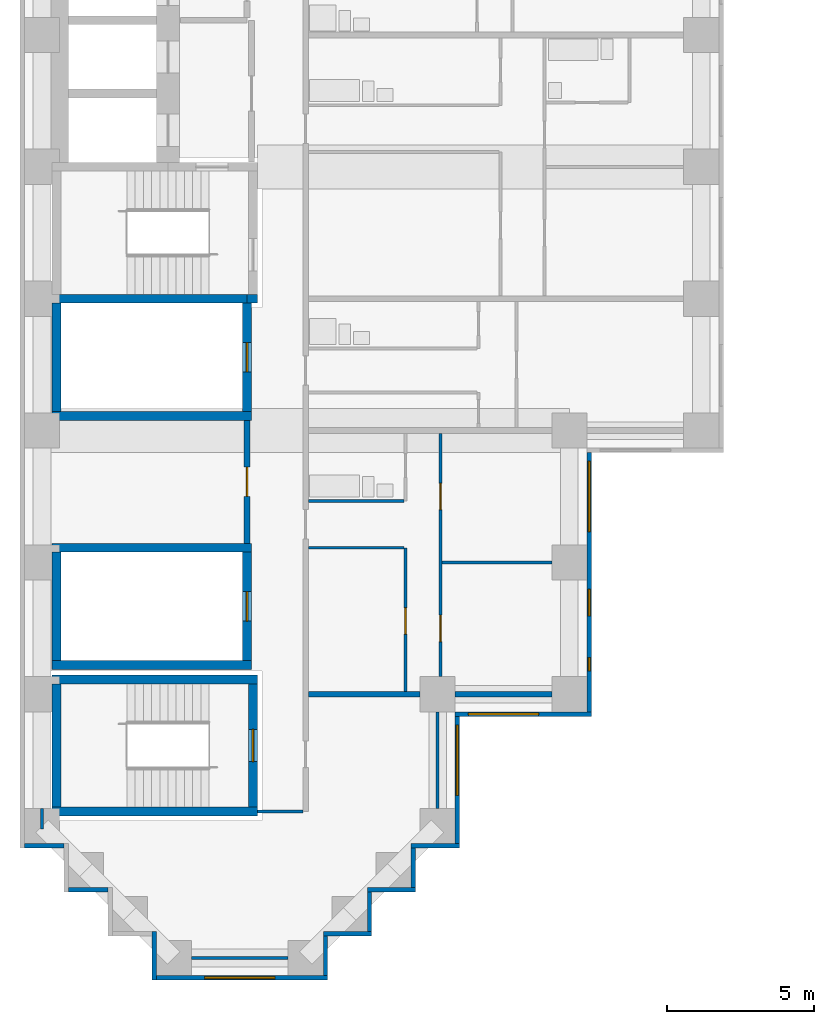
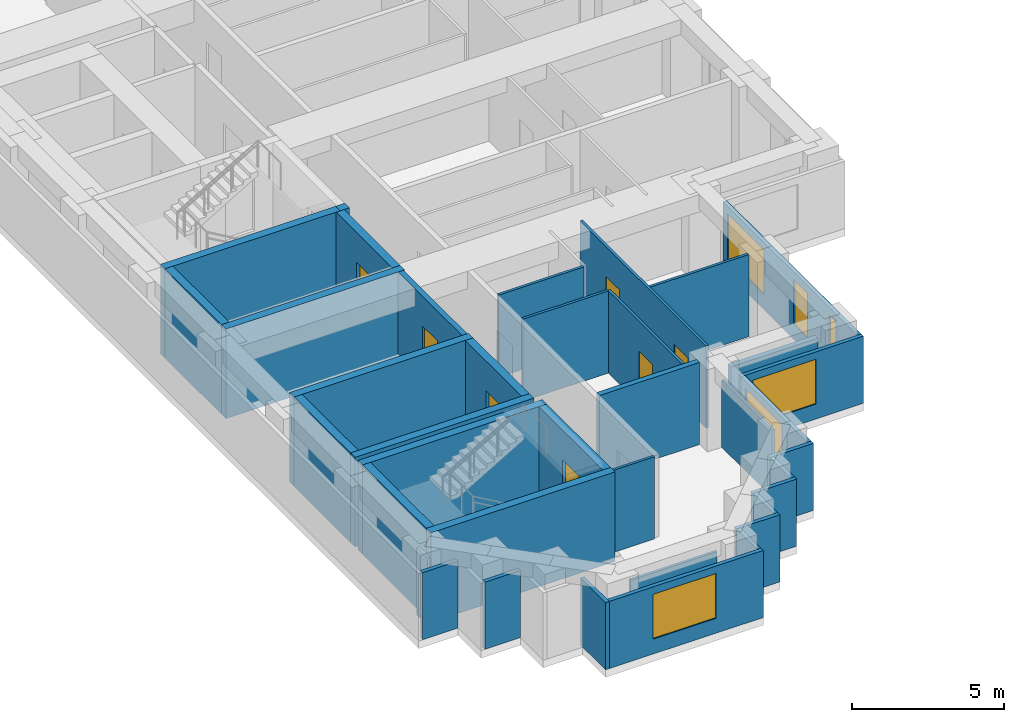
# One storey, part 2 of 11: 38 walls, 7 doors, 6 windows, 13 openings.
"""IFC4 building model written with IfcOpenShell, lengths in metres."""

import ifcopenshell
import ifcopenshell.guid

model = None  # the IFC model being written
_history = None  # IfcOwnerHistory: only IFC2X3 demands one
_inside = {}  # id of a spatial element -> (the spatial element, [elements in it])
_under = {}  # id of a project, library or spatial element -> (it, [spatial elements below it])
_declared = {}  # id of a project -> (the project, [libraries it declares])
_typed = {}  # id of a type object -> (the type object, [elements of that type])
_made_of = {}  # id of a material, layer set ... -> (it, [elements and type objects made of it])


def new_model(schema):
    """Start an empty IFC model of exactly this schema.

    Asked for "IFC4X3", IfcOpenShell would pick the latest addendum, in which some entities
    have other attributes; the version numbers below select the first issue.
    IFC2X3 requires an IfcOwnerHistory on every rooted entity: one is made here for all.
    """
    global model, _history
    if schema == "IFC4X3":
        model = ifcopenshell.file(schema_version=(4, 3, 0, 0))
    else:
        model = ifcopenshell.file(schema=schema)
    _inside.clear()
    _under.clear()
    _declared.clear()
    _typed.clear()
    _made_of.clear()
    _history = None
    if model.schema == "IFC2X3":
        org = make("IfcOrganization", Name="unknown")
        user = make(
            "IfcPersonAndOrganization",
            ThePerson=make("IfcPerson", FamilyName="unknown"),
            TheOrganization=org,
        )
        app = make(
            "IfcApplication",
            ApplicationDeveloper=org,
            Version="unknown",
            ApplicationFullName="unknown",
            ApplicationIdentifier="unknown",
        )
        _history = make(
            "IfcOwnerHistory",
            OwningUser=user,
            OwningApplication=app,
            ChangeAction="ADDED",
            CreationDate=0,
        )
    return model


def make(cls, **values):
    """One entity of the class cls with the attributes given. An attribute that is None is left unset."""
    return model.create_entity(
        cls, **{name: value for name, value in values.items() if value is not None}
    )


def rooted(cls, **values):
    """An entity with a GlobalId (a new one), such as an element, a storey or a relation."""
    return make(cls, GlobalId=ifcopenshell.guid.new(), OwnerHistory=_history, **values)


def si_unit(unit_type, name, prefix=None):
    """IfcSIUnit, for example si_unit("LENGTHUNIT", "METRE", prefix="MILLI")."""
    return make("IfcSIUnit", UnitType=unit_type, Prefix=prefix, Name=name)


def assignment(units):
    """IfcUnitAssignment: the units of a project."""
    return None if units is None else make("IfcUnitAssignment", Units=units)


def point(xyz):
    """IfcCartesianPoint."""
    return None if xyz is None else make("IfcCartesianPoint", Coordinates=xyz)


def direction(xyz):
    """IfcDirection."""
    return None if xyz is None else make("IfcDirection", DirectionRatios=xyz)


def frame(location, z_axis=None, x_axis=None):
    """IfcAxis2Placement3D, a coordinate frame: its origin and axes. An axis left out is left unset."""
    return make(
        "IfcAxis2Placement3D",
        Location=point(location),
        Axis=direction(z_axis),
        RefDirection=direction(x_axis),
    )


def frame_2d(location, x_axis=None):
    """IfcAxis2Placement2D, a coordinate frame in the plane: its origin and x axis."""
    return make(
        "IfcAxis2Placement2D", Location=point(location), RefDirection=direction(x_axis)
    )


def origin():
    """The frame at (0, 0, 0) with its axes left unset."""
    return frame((0.0, 0.0, 0.0))


def place(relative_to, where):
    """IfcLocalPlacement: puts the frame where relative to a parent placement (None: the world)."""
    return make(
        "IfcLocalPlacement", PlacementRelTo=relative_to, RelativePlacement=where
    )


def context(
    kind, dimensions, precision=None, world=None, true_north=None, identifier=None
):
    """IfcGeometricRepresentationContext, for example the 3D "Model" context."""
    return make(
        "IfcGeometricRepresentationContext",
        ContextIdentifier=identifier,
        ContextType=kind,
        CoordinateSpaceDimension=dimensions,
        Precision=precision,
        WorldCoordinateSystem=world,
        TrueNorth=true_north,
    )


def subcontext(parent, identifier, kind, view, scale=None):
    """IfcGeometricRepresentationSubContext, for example "Body" below "Model"."""
    return make(
        "IfcGeometricRepresentationSubContext",
        ContextIdentifier=identifier,
        ContextType=kind,
        ParentContext=parent,
        TargetScale=scale,
        TargetView=view,
    )


def project(units=None, contexts=None):
    """IfcProject with its units and contexts."""
    return rooted(
        "IfcProject",
        Name="project",
        RepresentationContexts=contexts,
        UnitsInContext=assignment(units),
    )


def spatial(cls, under=None, at=None, **own):
    """A site, building, storey or space (cls), placed at a placement, below another one or the project."""
    s = rooted(cls, ObjectPlacement=at, **own)
    if under is not None:
        _under.setdefault(under.id(), (under, []))[1].append(s)
    return s


def profile(cls, at=None, kind="AREA", **sizes):
    """A parametric profile (cls). Its sizes go by their IFC names, for example OverallWidth=200.0."""
    return make(cls, ProfileType=kind, Position=at, **sizes)


def rectangle(**sizes):
    """IfcRectangleProfileDef."""
    return profile("IfcRectangleProfileDef", **sizes)


def extrude(swept, where, along, depth):
    """IfcExtrudedAreaSolid: the profile swept, set in the frame where, extruded along a direction by depth."""
    return make(
        "IfcExtrudedAreaSolid",
        SweptArea=swept,
        Position=where,
        ExtrudedDirection=direction(along),
        Depth=depth,
    )


def shape(context_of_items, identifier, shape_type, items):
    """IfcShapeRepresentation: the items that make up one representation, for example the "Body"."""
    return make(
        "IfcShapeRepresentation",
        ContextOfItems=context_of_items,
        RepresentationIdentifier=identifier,
        RepresentationType=shape_type,
        Items=items,
    )


def material(Name=None, Category=None):
    """IfcMaterial."""
    return make("IfcMaterial", Name=Name, Category=Category)


def layer(
    of_material, thickness, ventilated=None, Name=None, Category=None, Priority=None
):
    """IfcMaterialLayer: one layer of a wall or slab, of a material (None: an air gap)."""
    return make(
        "IfcMaterialLayer",
        Material=of_material,
        LayerThickness=thickness,
        IsVentilated=ventilated,
        Name=Name,
        Category=Category,
        Priority=Priority,
    )


def layer_set(layers, Name=None):
    """IfcMaterialLayerSet."""
    return make("IfcMaterialLayerSet", MaterialLayers=layers, LayerSetName=Name)


def made_of(thing, what):
    """Note that an element or type object is made of a material, layer set ...; save() writes the relation."""
    if what is not None:
        _made_of.setdefault(what.id(), (what, []))[1].append(thing)
    return thing


def type_object(cls, material=None, **own):
    """A type object (cls), such as IfcWallType, which elements share."""
    return made_of(rooted(cls, **own), material)


def element(
    cls,
    number,
    at=None,
    inside=None,
    cuts=None,
    type_object=None,
    material=None,
    context=None,
    identifier="Body",
    shape_type=None,
    held_by="IfcProductDefinitionShape",
    body=None,
    shapes=None,
    **own,
):
    """One element of the class cls, such as IfcWall. Its Tag is "e" and its number.

    at: its placement. inside: the storey or other place that contains it. cuts: it is an
    opening in that element (IfcRelVoidsElement). A single representation is given by context,
    identifier, shape_type and body (its items); several are given by shapes. held_by: the class
    of the entity that holds the representations. save() writes the other relations.
    """
    e = rooted(cls, Tag="e%d" % number, ObjectPlacement=at, **own)
    if body is not None:
        shapes = [shape(context, identifier, shape_type, body)]
    if shapes is not None:
        e.Representation = make(held_by, Representations=shapes)
    if inside is not None:
        _inside.setdefault(inside.id(), (inside, []))[1].append(e)
    if cuts is not None:
        rooted(
            "IfcRelVoidsElement", RelatingBuildingElement=cuts, RelatedOpeningElement=e
        )
    if type_object is not None:
        _typed.setdefault(type_object.id(), (type_object, []))[1].append(e)
    return made_of(e, material)


def fill(opening, filler):
    """IfcRelFillsElement: the door or window that sits in an opening."""
    return rooted(
        "IfcRelFillsElement",
        RelatingOpeningElement=opening,
        RelatedBuildingElement=filler,
    )


def aggregate(whole, parts):
    """IfcRelAggregates: a whole, such as a stair, and the parts it consists of."""
    return rooted("IfcRelAggregates", RelatingObject=whole, RelatedObjects=parts)


def save(model, path):
    """Write the relations noted so far, then the file.

    IfcRelAggregates (storeys below a building ...), IfcRelContainedInSpatialStructure (elements
    in a storey), IfcRelDefinesByType, IfcRelAssociatesMaterial and IfcRelDeclares: one each for
    every whole, place, type object, material and project.
    """
    for whole, parts in _under.values():
        aggregate(whole, parts)
    for where, things in _inside.values():
        rooted(
            "IfcRelContainedInSpatialStructure",
            RelatedElements=things,
            RelatingStructure=where,
        )
    for kind, things in _typed.values():
        rooted("IfcRelDefinesByType", RelatedObjects=things, RelatingType=kind)
    for what, things in _made_of.values():
        rooted("IfcRelAssociatesMaterial", RelatedObjects=things, RelatingMaterial=what)
    for by, libraries in _declared.values():
        rooted("IfcRelDeclares", RelatingContext=by, RelatedDefinitions=libraries)
    model.write(path)


model = new_model("IFC4")

# Units and contexts
model_context = context("Model", 3, precision=1e-05, world=origin(), true_north=direction((0.0, 1.0)))
body_context = subcontext(model_context, "Body", "Model", "MODEL_VIEW")
ifc_project = project(units=[si_unit("LENGTHUNIT", "METRE"), si_unit("AREAUNIT", "SQUARE_METRE"), si_unit("VOLUMEUNIT", "CUBIC_METRE"), si_unit("PLANEANGLEUNIT", "RADIAN"), si_unit("MASSUNIT", "GRAM", prefix="KILO")], contexts=[model_context])

# Site, building, storey
site_placement = place(None, origin())
site = spatial("IfcSite", under=ifc_project, at=site_placement, CompositionType="ELEMENT")
building_placement = place(site_placement, origin())
building = spatial("IfcBuilding", under=site, at=building_placement, Name="Firuza Court", CompositionType="ELEMENT")
storey_placement = place(building_placement, frame((0.0, 0.0, 86.60009765625)))
storey = spatial("IfcBuildingStorey", under=building, at=storey_placement, Name="L21", CompositionType="ELEMENT", Elevation=86.60009765625)

# Walls
ifc_material_1 = material(Name="Moisture-resistant gypsum board partition")
ifc_layer_1 = layer(ifc_material_1, 0.10009765625)
ifc_layer_set_1 = layer_set([ifc_layer_1], Name="Moisture-resistant gypsum board partition")
wall_type_1 = type_object("IfcWallType", Name="Bathroom partition 100", PredefinedType="PLUMBINGWALL", material=ifc_layer_set_1)
wall_1_placement = place(storey_placement, frame((9.10009765625, 15.60009765625, 0.0), z_axis=(0.0, 0.0, 1.0), x_axis=(1.0, 0.0, 0.0)))
element("IfcWall", 1, at=wall_1_placement, inside=storey, type_object=wall_type_1, Name="Bathroom partition 100 L21", PredefinedType="PLUMBINGWALL", context=body_context, shape_type="SweptSolid", body=[
    extrude(rectangle(XDim=3.25, YDim=0.10009765625, at=frame_2d((1.625, 0.0))), origin(), (0.0, 0.0, 1.0), 3.2998046875),
])
ifc_material_2 = material(Name="Concrete C60/75", Category="concrete")
ifc_layer_2 = layer(ifc_material_2, 0.300048828125)
ifc_layer_set_2 = layer_set([ifc_layer_2], Name="Concrete C60/75")
wall_type_2 = type_object("IfcWallType", Name="Core wall 300 C60/75", PredefinedType="SHEAR", material=ifc_layer_set_2)
for number, where, z_axis, x_axis, name in (
    (2, (0.35009765625, 5.0, -0.300048828125), (0.0, 0.0, 1.0), (1.0, 0.0, 0.0), "Core wall stair L21"),
    (3, (0.35009765625, 9.5, -0.300048828125), (0.0, 0.0, 1.0), (1.0, 0.0, 0.0), "Core wall stair L21"),
):
    element("IfcWall", number, at=place(storey_placement, frame(where, z_axis=z_axis, x_axis=x_axis)), inside=storey, type_object=wall_type_2, Name=name, PredefinedType="SHEAR", context=body_context, shape_type="SweptSolid", body=[
        extrude(rectangle(XDim=7.0, YDim=0.300048828125, at=frame_2d((3.5, 0.0))), origin(), (0.0, 0.0, 1.0), 3.599853515625),
    ])
for number, where, z_axis, x_axis, name in (
    (4, (0.35009765625, 10.0, -0.300048828125), (0.0, 0.0, 1.0), (1.0, 0.0, 0.0), "Core wall riser L21"),
    (5, (0.35009765625, 14.0, -0.300048828125), (0.0, 0.0, 1.0), (1.0, 0.0, 0.0), "Core wall riser L21"),
    (6, (0.35009765625, 18.5, -0.300048828125), (0.0, 0.0, 1.0), (1.0, 0.0, 0.0), "Core wall riser L21"),
):
    element("IfcWall", number, at=place(storey_placement, frame(where, z_axis=z_axis, x_axis=x_axis)), inside=storey, type_object=wall_type_2, Name=name, PredefinedType="SHEAR", context=body_context, shape_type="SweptSolid", body=[
        extrude(rectangle(XDim=6.7998046875, YDim=0.300048828125, at=frame_2d((3.39990234375, 0.0))), origin(), (0.0, 0.0, 1.0), 3.599853515625),
    ])
wall_2_placement = place(storey_placement, frame((0.35009765625, 22.5, -0.300048828125), z_axis=(0.0, 0.0, 1.0), x_axis=(1.0, 0.0, 0.0)))
element("IfcWall", 7, at=wall_2_placement, inside=storey, type_object=wall_type_2, Name="Core wall riser L21", PredefinedType="SHEAR", context=body_context, shape_type="SweptSolid", body=[
    extrude(rectangle(XDim=6.64990234375, YDim=0.300048828125, at=frame_2d((3.324951171875, 0.0))), origin(), (0.0, 0.0, 1.0), 3.599853515625),
])
wall_3_placement = place(storey_placement, frame((0.5, 5.14990234375, -0.300048828125), z_axis=(0.0, 0.0, 1.0), x_axis=(0.0, 1.0, 0.0)))
element("IfcWall", 8, at=wall_3_placement, inside=storey, type_object=wall_type_2, Name="Core wall stair L21", PredefinedType="SHEAR", context=body_context, shape_type="SweptSolid", body=[
    extrude(rectangle(XDim=4.2001953125, YDim=0.300048828125, at=frame_2d((2.10009765625, 0.0))), origin(), (0.0, 0.0, 1.0), 3.599853515625),
])
for number, where, z_axis, x_axis, name in (
    (9, (0.5, 10.14990234375, -0.300048828125), (0.0, 0.0, 1.0), (0.0, 1.0, 0.0), "Core wall riser L21"),
    (10, (0.5, 18.64990234375, -0.300048828125), (0.0, 0.0, 1.0), (0.0, 1.0, 0.0), "Core wall riser L21"),
):
    element("IfcWall", number, at=place(storey_placement, frame(where, z_axis=z_axis, x_axis=x_axis)), inside=storey, type_object=wall_type_2, Name=name, PredefinedType="SHEAR", context=body_context, shape_type="SweptSolid", body=[
        extrude(rectangle(XDim=3.7001953125, YDim=0.300048828125, at=frame_2d((1.85009765625, 0.0))), origin(), (0.0, 0.0, 1.0), 3.599853515625),
    ])

# Wall, opening, door
wall_4_placement = place(storey_placement, frame((7.0, 10.14990234375, -0.300048828125), z_axis=(0.0, 0.0, 1.0), x_axis=(0.0, 1.0, 0.0)))
wall_4 = element("IfcWall", 11, at=wall_4_placement, inside=storey, type_object=wall_type_2, Name="Core wall riser L21", PredefinedType="SHEAR", context=body_context, shape_type="SweptSolid", body=[
    extrude(rectangle(XDim=3.7001953125, YDim=0.300048828125, at=frame_2d((1.85009765625, 0.0))), origin(), (0.0, 0.0, 1.0), 3.599853515625),
])
opening_1_placement = place(wall_4_placement, frame((1.35009765625, 0.0, 0.300048828125)))
opening_1 = element("IfcOpeningElement", 12, at=opening_1_placement, cuts=wall_4, Name="Opening D21012", PredefinedType="OPENING", context=body_context, shape_type="SweptSolid", body=[
    extrude(rectangle(XDim=1.0, YDim=2.10009765625, at=frame_2d((0.5, 1.050048828125))), frame((0.0, 0.162109375, 0.0), z_axis=(0.0, -1.0, 0.0), x_axis=(1.0, 0.0, 0.0)), (0.0, 0.0, 1.0), 0.323974609375),
])
ifc_material_3 = material(Name="Timber door leaf in hardwood frame", Category="wood")
door_type_1 = type_object("IfcDoorType", Name="Riser door 1000", OperationType="SINGLE_SWING_LEFT", PredefinedType="DOOR", material=ifc_material_3)
door_1_placement = place(opening_1_placement, origin())
door_1 = element("IfcDoor", 13, at=door_1_placement, inside=storey, type_object=door_type_1, Name="Riser door R4", OperationType="SINGLE_SWING_LEFT", OverallHeight=2.10009765625, OverallWidth=1.0, PredefinedType="DOOR", context=body_context, shape_type="SweptSolid", body=[
    extrude(rectangle(XDim=1.0, YDim=2.10009765625, at=frame_2d((0.5, 1.050048828125))), frame((0.0, 0.02490234375, 0.0), z_axis=(0.0, -1.0, 0.0), x_axis=(1.0, 0.0, 0.0)), (0.0, 0.0, 1.0), 0.050048828125),
])
fill(opening_1, door_1)

wall_5_placement = place(storey_placement, frame((7.0, 18.64990234375, -0.300048828125), z_axis=(0.0, 0.0, 1.0), x_axis=(0.0, 1.0, 0.0)))
wall_5 = element("IfcWall", 14, at=wall_5_placement, inside=storey, type_object=wall_type_2, Name="Core wall riser L21", PredefinedType="SHEAR", context=body_context, shape_type="SweptSolid", body=[
    extrude(rectangle(XDim=3.7001953125, YDim=0.300048828125, at=frame_2d((1.85009765625, 0.0))), origin(), (0.0, 0.0, 1.0), 3.599853515625),
])
opening_2_placement = place(wall_5_placement, frame((1.35009765625, 0.0, 0.300048828125)))
opening_2 = element("IfcOpeningElement", 15, at=opening_2_placement, cuts=wall_5, Name="Opening D21010", PredefinedType="OPENING", context=body_context, shape_type="SweptSolid", body=[
    extrude(rectangle(XDim=1.0, YDim=2.10009765625, at=frame_2d((0.5, 1.050048828125))), frame((0.0, 0.162109375, 0.0), z_axis=(0.0, -1.0, 0.0), x_axis=(1.0, 0.0, 0.0)), (0.0, 0.0, 1.0), 0.323974609375),
])
door_2_placement = place(opening_2_placement, origin())
door_2 = element("IfcDoor", 16, at=door_2_placement, inside=storey, type_object=door_type_1, Name="Riser door R1", OperationType="SINGLE_SWING_LEFT", OverallHeight=2.10009765625, OverallWidth=1.0, PredefinedType="DOOR", context=body_context, shape_type="SweptSolid", body=[
    extrude(rectangle(XDim=1.0, YDim=2.10009765625, at=frame_2d((0.5, 1.050048828125))), frame((0.0, 0.02490234375, 0.0), z_axis=(0.0, -1.0, 0.0), x_axis=(1.0, 0.0, 0.0)), (0.0, 0.0, 1.0), 0.050048828125),
])
fill(opening_2, door_2)

# Wall
wall_6_placement = place(storey_placement, frame((7.0, 22.5, -0.300048828125), z_axis=(0.0, 0.0, 1.0), x_axis=(1.0, 0.0, 0.0)))
element("IfcWall", 17, at=wall_6_placement, inside=storey, type_object=wall_type_2, Name="Core wall stair L21", PredefinedType="SHEAR", context=body_context, shape_type="SweptSolid", body=[
    extrude(rectangle(XDim=0.35009765625, YDim=0.300048828125, at=frame_2d((0.175048828125, 0.0))), origin(), (0.0, 0.0, 1.0), 3.599853515625),
])

# Wall, opening, door
wall_7_placement = place(storey_placement, frame((7.199951171875, 5.14990234375, -0.300048828125), z_axis=(0.0, 0.0, 1.0), x_axis=(0.0, 1.0, 0.0)))
wall_7 = element("IfcWall", 18, at=wall_7_placement, inside=storey, type_object=wall_type_2, Name="Core wall stair L21", PredefinedType="SHEAR", context=body_context, shape_type="SweptSolid", body=[
    extrude(rectangle(XDim=4.2001953125, YDim=0.300048828125, at=frame_2d((2.10009765625, 0.0))), origin(), (0.0, 0.0, 1.0), 3.599853515625),
])
opening_3_placement = place(wall_7_placement, frame((1.550048828125, 0.0, 0.300048828125)))
opening_3 = element("IfcOpeningElement", 19, at=opening_3_placement, cuts=wall_7, Name="Opening D21018", PredefinedType="OPENING", context=body_context, shape_type="SweptSolid", body=[
    extrude(rectangle(XDim=1.10009765625, YDim=2.10009765625, at=frame_2d((0.550048828125, 1.050048828125))), frame((0.0, 0.162109375, 0.0), z_axis=(0.0, -1.0, 0.0), x_axis=(1.0, 0.0, 0.0)), (0.0, 0.0, 1.0), 0.323974609375),
])
ifc_material_4 = material(Name="Timber door leaf in hardwood frame", Category="wood")
door_type_2 = type_object("IfcDoorType", Name="Stair door 1100", OperationType="SINGLE_SWING_LEFT", PredefinedType="DOOR", material=ifc_material_4)
door_3_placement = place(opening_3_placement, origin())
door_3 = element("IfcDoor", 20, at=door_3_placement, inside=storey, type_object=door_type_2, Name="Stair door S5", OperationType="SINGLE_SWING_LEFT", OverallHeight=2.10009765625, OverallWidth=1.10009765625, PredefinedType="DOOR", context=body_context, shape_type="SweptSolid", body=[
    extrude(rectangle(XDim=1.10009765625, YDim=2.10009765625, at=frame_2d((0.550048828125, 1.050048828125))), frame((0.0, 0.02490234375, 0.0), z_axis=(0.0, -1.0, 0.0), x_axis=(1.0, 0.0, 0.0)), (0.0, 0.0, 1.0), 0.050048828125),
])
fill(opening_3, door_3)

ifc_material_5 = material(Name="Blockwork, plastered both sides", Category="masonry")
ifc_layer_3 = layer(ifc_material_5, 0.199951171875)
ifc_layer_set_3 = layer_set([ifc_layer_3], Name="Blockwork, plastered both sides")
wall_type_3 = type_object("IfcWallType", Name="Corridor wall 200", PredefinedType="PARTITIONING", material=ifc_layer_set_3)
wall_8_placement = place(storey_placement, frame((7.0, 14.14990234375, 0.0), z_axis=(0.0, 0.0, 1.0), x_axis=(0.0, 1.0, 0.0)))
wall_8 = element("IfcWall", 21, at=wall_8_placement, inside=storey, type_object=wall_type_3, Name="Corridor wall 200 L21", PredefinedType="PARTITIONING", context=body_context, shape_type="SweptSolid", body=[
    extrude(rectangle(XDim=4.2001953125, YDim=0.199951171875, at=frame_2d((2.10009765625, 0.0))), origin(), (0.0, 0.0, 1.0), 3.2998046875),
])
opening_4_placement = place(wall_8_placement, frame((1.60009765625, 0.0, 0.0)))
opening_4 = element("IfcOpeningElement", 22, at=opening_4_placement, cuts=wall_8, Name="Opening D21028", PredefinedType="OPENING", context=body_context, shape_type="SweptSolid", body=[
    extrude(rectangle(XDim=1.0, YDim=2.10009765625, at=frame_2d((0.5, 1.050048828125))), frame((0.0, 0.11181640625, 0.0), z_axis=(0.0, -1.0, 0.0), x_axis=(1.0, 0.0, 0.0)), (0.0, 0.0, 1.0), 0.223876953125),
])
ifc_material_6 = material(Name="Timber door leaf in hardwood frame", Category="wood")
door_type_3 = type_object("IfcDoorType", Name="Store door 1000", OperationType="SINGLE_SWING_LEFT", PredefinedType="DOOR", material=ifc_material_6)
door_4_placement = place(opening_4_placement, origin())
door_4 = element("IfcDoor", 23, at=door_4_placement, inside=storey, type_object=door_type_3, Name="Electrical room door", OperationType="SINGLE_SWING_LEFT", OverallHeight=2.10009765625, OverallWidth=1.0, PredefinedType="DOOR", context=body_context, shape_type="SweptSolid", body=[
    extrude(rectangle(XDim=1.0, YDim=2.10009765625, at=frame_2d((0.5, 1.050048828125))), frame((0.0, 0.02490234375, 0.0), z_axis=(0.0, -1.0, 0.0), x_axis=(1.0, 0.0, 0.0)), (0.0, 0.0, 1.0), 0.050048828125),
])
fill(opening_4, door_4)

# Walls
ifc_material_7 = material(Name="Timber stud partition, plasterboard both sides", Category="wood")
ifc_layer_4 = layer(ifc_material_7, 0.10009765625)
ifc_layer_set_4 = layer_set([ifc_layer_4], Name="Timber stud partition, plasterboard both sides")
wall_type_4 = type_object("IfcWallType", Name="Partition wall 100", PredefinedType="PARTITIONING", material=ifc_layer_set_4)
wall_9_placement = place(storey_placement, frame((5.10009765625, 0.0, 0.0), z_axis=(0.0, 0.0, 1.0), x_axis=(1.0, 0.0, 0.0)))
element("IfcWall", 24, at=wall_9_placement, inside=storey, type_object=wall_type_4, Name="Partition wall 100 L21", PredefinedType="PARTITIONING", context=body_context, shape_type="SweptSolid", body=[
    extrude(rectangle(XDim=3.2998046875, YDim=0.10009765625, at=frame_2d((1.64990234375, 0.0))), origin(), (0.0, 0.0, 1.0), 2.699951171875),
])
wall_10_placement = place(storey_placement, frame((0.0, 4.39990234375, 0.0), z_axis=(0.0, 0.0, 1.0), x_axis=(0.0, 1.0, 0.0)))
element("IfcWall", 25, at=wall_10_placement, inside=storey, type_object=wall_type_4, Name="Partition wall 100 L21", PredefinedType="PARTITIONING", context=body_context, shape_type="SweptSolid", body=[
    extrude(rectangle(XDim=0.7001953125, YDim=0.10009765625, at=frame_2d((0.35009765625, 0.0))), origin(), (0.0, 0.0, 1.0), 2.699951171875),
])
wall_11_placement = place(storey_placement, frame((7.34912109375, 5.0, 0.0), z_axis=(0.0, 0.0, 1.0), x_axis=(1.0, 0.0, 0.0)))
element("IfcWall", 26, at=wall_11_placement, inside=storey, type_object=wall_type_4, Name="Partition wall 100 L21", PredefinedType="PARTITIONING", context=body_context, shape_type="SweptSolid", body=[
    extrude(rectangle(XDim=1.55078125, YDim=0.10009765625, at=frame_2d((0.775390625, 0.0))), origin(), (0.0, 0.0, 1.0), 3.2998046875),
])
wall_12_placement = place(storey_placement, frame((13.5, 5.10009765625, 0.0), z_axis=(0.0, 0.0, 1.0), x_axis=(0.0, 1.0, 0.0)))
element("IfcWall", 27, at=wall_12_placement, inside=storey, type_object=wall_type_4, Name="Partition wall 100 L21", PredefinedType="PARTITIONING", context=body_context, shape_type="SweptSolid", body=[
    extrude(rectangle(XDim=3.2998046875, YDim=0.10009765625, at=frame_2d((1.64990234375, 0.0))), origin(), (0.0, 0.0, 1.0), 2.699951171875),
])

# Wall, opening, door
wall_13_placement = place(storey_placement, frame((12.39990234375, 9.10009765625, 0.0), z_axis=(0.0, 0.0, 1.0), x_axis=(0.0, 1.0, 0.0)))
wall_13 = element("IfcWall", 28, at=wall_13_placement, inside=storey, type_object=wall_type_4, Name="Partition wall 100 L21", PredefinedType="PARTITIONING", context=body_context, shape_type="SweptSolid", body=[
    extrude(rectangle(XDim=4.89990234375, YDim=0.10009765625, at=frame_2d((2.449951171875, 0.0))), origin(), (0.0, 0.0, 1.0), 3.2998046875),
])
opening_5_placement = place(wall_13_placement, frame((1.949951171875, 0.0, 0.0)))
opening_5 = element("IfcOpeningElement", 29, at=opening_5_placement, cuts=wall_13, Name="Opening D21025", PredefinedType="OPENING", context=body_context, shape_type="SweptSolid", body=[
    extrude(rectangle(XDim=0.89990234375, YDim=2.10009765625, at=frame_2d((0.449951171875, 1.050048828125))), frame((0.0, 0.06201171875, 0.0), z_axis=(0.0, -1.0, 0.0), x_axis=(1.0, 0.0, 0.0)), (0.0, 0.0, 1.0), 0.1240234375),
])
ifc_material_8 = material(Name="Timber door leaf in hardwood frame", Category="wood")
door_type_4 = type_object("IfcDoorType", Name="Room door 900", OperationType="SINGLE_SWING_LEFT", PredefinedType="DOOR", material=ifc_material_8)
door_5_placement = place(opening_5_placement, origin())
door_5 = element("IfcDoor", 30, at=door_5_placement, inside=storey, type_object=door_type_4, Name="Kitchen door", OperationType="SINGLE_SWING_LEFT", OverallHeight=2.10009765625, OverallWidth=0.89990234375, PredefinedType="DOOR", context=body_context, shape_type="SweptSolid", body=[
    extrude(rectangle(XDim=0.89990234375, YDim=2.10009765625, at=frame_2d((0.449951171875, 1.050048828125))), frame((0.0, 0.02490234375, 0.0), z_axis=(0.0, -1.0, 0.0), x_axis=(1.0, 0.0, 0.0)), (0.0, 0.0, 1.0), 0.050048828125),
])
fill(opening_5, door_5)

# Wall, openings, doors
wall_14_placement = place(storey_placement, frame((13.60009765625, 9.60009765625, 0.0), z_axis=(0.0, 0.0, 1.0), x_axis=(0.0, 1.0, 0.0)))
wall_14 = element("IfcWall", 31, at=wall_14_placement, inside=storey, type_object=wall_type_4, Name="Partition wall 100 L21", PredefinedType="PARTITIONING", context=body_context, shape_type="SweptSolid", body=[
    extrude(rectangle(XDim=8.2998046875, YDim=0.10009765625, at=frame_2d((4.14990234375, 0.0))), origin(), (0.0, 0.0, 1.0), 3.2998046875),
])
opening_6_placement = place(wall_14_placement, frame((1.199951171875, 0.0, 0.0)))
opening_6 = element("IfcOpeningElement", 32, at=opening_6_placement, cuts=wall_14, Name="Opening D21026", PredefinedType="OPENING", context=body_context, shape_type="SweptSolid", body=[
    extrude(rectangle(XDim=0.89990234375, YDim=2.10009765625, at=frame_2d((0.449951171875, 1.050048828125))), frame((0.0, 0.06201171875, 0.0), z_axis=(0.0, -1.0, 0.0), x_axis=(1.0, 0.0, 0.0)), (0.0, 0.0, 1.0), 0.1240234375),
])
opening_7_placement = place(wall_14_placement, frame((5.699951171875, 0.0, 0.0)))
opening_7 = element("IfcOpeningElement", 33, at=opening_7_placement, cuts=wall_14, Name="Opening D21027", PredefinedType="OPENING", context=body_context, shape_type="SweptSolid", body=[
    extrude(rectangle(XDim=0.89990234375, YDim=2.10009765625, at=frame_2d((0.449951171875, 1.050048828125))), frame((0.0, 0.06201171875, 0.0), z_axis=(0.0, -1.0, 0.0), x_axis=(1.0, 0.0, 0.0)), (0.0, 0.0, 1.0), 0.1240234375),
])
door_6_placement = place(opening_6_placement, frame((0.89990234375, 0.0, 0.0), z_axis=(0.0, 0.0, 1.0), x_axis=(-1.0, 0.0, 0.0)))
door_6 = element("IfcDoor", 34, at=door_6_placement, inside=storey, type_object=door_type_4, Name="Living room door", OperationType="SINGLE_SWING_RIGHT", OverallHeight=2.10009765625, OverallWidth=0.89990234375, PredefinedType="DOOR", context=body_context, shape_type="SweptSolid", body=[
    extrude(rectangle(XDim=0.89990234375, YDim=2.10009765625, at=frame_2d((0.449951171875, 1.050048828125))), frame((0.0, 0.02490234375, 0.0), z_axis=(0.0, -1.0, 0.0), x_axis=(1.0, 0.0, 0.0)), (0.0, 0.0, 1.0), 0.050048828125),
])
fill(opening_6, door_6)
door_7_placement = place(opening_7_placement, frame((0.89990234375, 0.0, 0.0), z_axis=(0.0, 0.0, 1.0), x_axis=(-1.0, 0.0, 0.0)))
door_7 = element("IfcDoor", 35, at=door_7_placement, inside=storey, type_object=door_type_4, Name="Bedroom door", OperationType="SINGLE_SWING_RIGHT", OverallHeight=2.10009765625, OverallWidth=0.89990234375, PredefinedType="DOOR", context=body_context, shape_type="SweptSolid", body=[
    extrude(rectangle(XDim=0.89990234375, YDim=2.10009765625, at=frame_2d((0.449951171875, 1.050048828125))), frame((0.0, 0.02490234375, 0.0), z_axis=(0.0, -1.0, 0.0), x_axis=(1.0, 0.0, 0.0)), (0.0, 0.0, 1.0), 0.050048828125),
])
fill(opening_7, door_7)

# Walls
wall_15_placement = place(storey_placement, frame((13.64990234375, 13.5, 0.0), z_axis=(0.0, 0.0, 1.0), x_axis=(1.0, 0.0, 0.0)))
element("IfcWall", 36, at=wall_15_placement, inside=storey, type_object=wall_type_4, Name="Partition wall 100 L21", PredefinedType="PARTITIONING", context=body_context, shape_type="SweptSolid", body=[
    extrude(rectangle(XDim=3.75, YDim=0.10009765625, at=frame_2d((1.875, 0.0))), origin(), (0.0, 0.0, 1.0), 3.2998046875),
])
wall_16_placement = place(storey_placement, frame((9.10009765625, 14.0, 0.0), z_axis=(0.0, 0.0, 1.0), x_axis=(1.0, 0.0, 0.0)))
element("IfcWall", 37, at=wall_16_placement, inside=storey, type_object=wall_type_4, Name="Partition wall 100 L21", PredefinedType="PARTITIONING", context=body_context, shape_type="SweptSolid", body=[
    extrude(rectangle(XDim=3.25, YDim=0.10009765625, at=frame_2d((1.625, 0.0))), origin(), (0.0, 0.0, 1.0), 3.2998046875),
])
ifc_layer_5 = layer(ifc_material_5, 0.199951171875)
ifc_layer_set_5 = layer_set([ifc_layer_5], Name="Blockwork, plastered both sides")
wall_type_5 = type_object("IfcWallType", Name="Party wall 200", PredefinedType="PARTITIONING", material=ifc_layer_set_5)
wall_17_placement = place(storey_placement, frame((9.10009765625, 9.0, 0.0), z_axis=(0.0, 0.0, 1.0), x_axis=(1.0, 0.0, 0.0)))
element("IfcWall", 38, at=wall_17_placement, inside=storey, type_object=wall_type_5, Name="Party wall 200 L21", PredefinedType="PARTITIONING", context=body_context, shape_type="SweptSolid", body=[
    extrude(rectangle(XDim=3.7998046875, YDim=0.199951171875, at=frame_2d((1.89990234375, 0.0))), origin(), (0.0, 0.0, 1.0), 3.2998046875),
])
wall_18_placement = place(storey_placement, frame((14.10009765625, 9.0, 0.0), z_axis=(0.0, 0.0, 1.0), x_axis=(1.0, 0.0, 0.0)))
element("IfcWall", 39, at=wall_18_placement, inside=storey, type_object=wall_type_5, Name="Party wall 200 L21", PredefinedType="PARTITIONING", context=body_context, shape_type="SweptSolid", body=[
    extrude(rectangle(XDim=3.2998046875, YDim=0.199951171875, at=frame_2d((1.64990234375, 0.0))), origin(), (0.0, 0.0, 1.0), 2.699951171875),
])
ifc_material_9 = material(Name="Ceramic tile", Category="ceramic")
ifc_layer_6 = layer(ifc_material_9, 0.02001953125)
ifc_material_10 = material(Name="Mineral wool insulation", Category="insulation")
ifc_layer_7 = layer(ifc_material_10, 0.050048828125)
ifc_material_11 = material(Name="Concrete C40/50 precast", Category="concrete")
ifc_layer_8 = layer(ifc_material_11, 0.080078125)
ifc_layer_set_6 = layer_set([ifc_layer_6, ifc_layer_7, ifc_layer_8], Name="Concrete C40/50 precast")
wall_type_6 = type_object("IfcWallType", Name="Precast cladding wall with turquoise TILE PANEL face 150", PredefinedType="STANDARD", material=ifc_layer_set_6)
wall_19_placement = place(storey_placement, frame((9.675048828125, -0.60009765625, 0.0), z_axis=(0.0, 0.0, 1.0), x_axis=(0.0, 1.0, 0.0)))
element("IfcWall", 40, at=wall_19_placement, inside=storey, type_object=wall_type_6, Name="Facade wall L21 E", PredefinedType="STANDARD", context=body_context, shape_type="SweptSolid", body=[
    extrude(rectangle(XDim=1.35009765625, YDim=0.14990234375, at=frame_2d((0.675048828125, 0.0))), origin(), (0.0, 0.0, 1.0), 2.699951171875),
])
wall_20_placement = place(storey_placement, frame((9.60009765625, 0.824951171875, 0.0), z_axis=(0.0, 0.0, 1.0), x_axis=(1.0, 0.0, 0.0)))
element("IfcWall", 41, at=wall_20_placement, inside=storey, type_object=wall_type_6, Name="Facade wall L21 S", PredefinedType="STANDARD", context=body_context, shape_type="SweptSolid", body=[
    extrude(rectangle(XDim=1.64990234375, YDim=0.14990234375, at=frame_2d((0.824951171875, 0.0))), origin(), (0.0, 0.0, 1.0), 2.699951171875),
])
wall_21_placement = place(storey_placement, frame((11.175048828125, 0.89990234375, 0.0), z_axis=(0.0, 0.0, 1.0), x_axis=(0.0, 1.0, 0.0)))
element("IfcWall", 42, at=wall_21_placement, inside=storey, type_object=wall_type_6, Name="Facade wall L21 E", PredefinedType="STANDARD", context=body_context, shape_type="SweptSolid", body=[
    extrude(rectangle(XDim=1.35009765625, YDim=0.14990234375, at=frame_2d((0.675048828125, 0.0))), origin(), (0.0, 0.0, 1.0), 2.699951171875),
])
wall_22_placement = place(storey_placement, frame((11.10009765625, 2.324951171875, 0.0), z_axis=(0.0, 0.0, 1.0), x_axis=(1.0, 0.0, 0.0)))
element("IfcWall", 43, at=wall_22_placement, inside=storey, type_object=wall_type_6, Name="Facade wall L21 S", PredefinedType="STANDARD", context=body_context, shape_type="SweptSolid", body=[
    extrude(rectangle(XDim=1.64990234375, YDim=0.14990234375, at=frame_2d((0.824951171875, 0.0))), origin(), (0.0, 0.0, 1.0), 2.699951171875),
])
wall_23_placement = place(storey_placement, frame((12.675048828125, 2.39990234375, 0.0), z_axis=(0.0, 0.0, 1.0), x_axis=(0.0, 1.0, 0.0)))
element("IfcWall", 44, at=wall_23_placement, inside=storey, type_object=wall_type_6, Name="Facade wall L21 E", PredefinedType="STANDARD", context=body_context, shape_type="SweptSolid", body=[
    extrude(rectangle(XDim=1.35009765625, YDim=0.14990234375, at=frame_2d((0.675048828125, 0.0))), origin(), (0.0, 0.0, 1.0), 2.699951171875),
])
wall_24_placement = place(storey_placement, frame((12.60009765625, 3.824951171875, 0.0), z_axis=(0.0, 0.0, 1.0), x_axis=(1.0, 0.0, 0.0)))
element("IfcWall", 45, at=wall_24_placement, inside=storey, type_object=wall_type_6, Name="Facade wall L21 S", PredefinedType="STANDARD", context=body_context, shape_type="SweptSolid", body=[
    extrude(rectangle(XDim=1.64990234375, YDim=0.14990234375, at=frame_2d((0.824951171875, 0.0))), origin(), (0.0, 0.0, 1.0), 2.699951171875),
])

# Wall, opening, window
wall_25_placement = place(storey_placement, frame((14.175048828125, 3.89990234375, 0.0), z_axis=(0.0, 0.0, 1.0), x_axis=(0.0, 1.0, 0.0)))
wall_25 = element("IfcWall", 46, at=wall_25_placement, inside=storey, type_object=wall_type_6, Name="Facade wall L21 E", PredefinedType="STANDARD", context=body_context, shape_type="SweptSolid", body=[
    extrude(rectangle(XDim=4.35009765625, YDim=0.14990234375, at=frame_2d((2.175048828125, 0.0))), origin(), (0.0, 0.0, 1.0), 2.699951171875),
])
opening_8_placement = place(wall_25_placement, frame((1.64990234375, 0.0, 0.60009765625)))
opening_8 = element("IfcOpeningElement", 47, at=opening_8_placement, cuts=wall_25, Name="Opening W1", PredefinedType="OPENING", context=body_context, shape_type="SweptSolid", body=[
    extrude(rectangle(XDim=2.39990234375, YDim=1.800048828125, at=frame_2d((1.199951171875, 0.89990234375))), frame((0.0, 0.0869140625, 0.0), z_axis=(0.0, -1.0, 0.0), x_axis=(1.0, 0.0, 0.0)), (0.0, 0.0, 1.0), 0.173828125),
])
ifc_material_12 = material(Name="Aluminium frame, triple clear glazing", Category="aluminium")
window_type_1 = type_object("IfcWindowType", Name="Window W1 2400 x 1800", PartitioningType="SINGLE_PANEL", PredefinedType="WINDOW", material=ifc_material_12)
window_1_placement = place(opening_8_placement, origin())
window_1 = element("IfcWindow", 48, at=window_1_placement, inside=storey, type_object=window_type_1, Name="Window L21", OverallHeight=1.800048828125, OverallWidth=2.39990234375, PartitioningType="SINGLE_PANEL", PredefinedType="WINDOW", context=body_context, shape_type="SweptSolid", body=[
    extrude(rectangle(XDim=2.39990234375, YDim=1.800048828125, at=frame_2d((1.199951171875, 0.89990234375))), frame((0.0, 0.030029296875, 0.0), z_axis=(0.0, -1.0, 0.0), x_axis=(1.0, 0.0, 0.0)), (0.0, 0.0, 1.0), 0.06005859375),
])
fill(opening_8, window_1)

wall_26_placement = place(storey_placement, frame((14.10009765625, 8.324951171875, 0.0), z_axis=(0.0, 0.0, 1.0), x_axis=(1.0, 0.0, 0.0)))
wall_26 = element("IfcWall", 49, at=wall_26_placement, inside=storey, type_object=wall_type_6, Name="Facade wall L21 S", PredefinedType="STANDARD", context=body_context, shape_type="SweptSolid", body=[
    extrude(rectangle(XDim=4.64990234375, YDim=0.14990234375, at=frame_2d((2.324951171875, 0.0))), origin(), (0.0, 0.0, 1.0), 2.699951171875),
])
opening_9_placement = place(wall_26_placement, frame((0.449951171875, 0.0, 0.60009765625)))
opening_9 = element("IfcOpeningElement", 50, at=opening_9_placement, cuts=wall_26, Name="Opening W1", PredefinedType="OPENING", context=body_context, shape_type="SweptSolid", body=[
    extrude(rectangle(XDim=2.39990234375, YDim=1.800048828125, at=frame_2d((1.199951171875, 0.89990234375))), frame((0.0, 0.0869140625, 0.0), z_axis=(0.0, -1.0, 0.0), x_axis=(1.0, 0.0, 0.0)), (0.0, 0.0, 1.0), 0.173828125),
])
window_2_placement = place(opening_9_placement, origin())
window_2 = element("IfcWindow", 51, at=window_2_placement, inside=storey, type_object=window_type_1, Name="Window L21", OverallHeight=1.800048828125, OverallWidth=2.39990234375, PartitioningType="SINGLE_PANEL", PredefinedType="WINDOW", context=body_context, shape_type="SweptSolid", body=[
    extrude(rectangle(XDim=2.39990234375, YDim=1.800048828125, at=frame_2d((1.199951171875, 0.89990234375))), frame((0.0, 0.030029296875, 0.0), z_axis=(0.0, -1.0, 0.0), x_axis=(1.0, 0.0, 0.0)), (0.0, 0.0, 1.0), 0.06005859375),
])
fill(opening_9, window_2)

# Wall, openings, windows
wall_27_placement = place(storey_placement, frame((18.675048828125, 8.39990234375, 0.0), z_axis=(0.0, 0.0, 1.0), x_axis=(0.0, 1.0, 0.0)))
wall_27 = element("IfcWall", 52, at=wall_27_placement, inside=storey, type_object=wall_type_6, Name="Facade wall L21 E", PredefinedType="STANDARD", context=body_context, shape_type="SweptSolid", body=[
    extrude(rectangle(XDim=8.85009765625, YDim=0.14990234375, at=frame_2d((4.425048828125, 0.0))), origin(), (0.0, 0.0, 1.0), 2.699951171875),
])
opening_10_placement = place(wall_27_placement, frame((1.400634765625, 0.0, 0.60009765625)))
opening_10 = element("IfcOpeningElement", 53, at=opening_10_placement, cuts=wall_27, Name="Opening W5", PredefinedType="OPENING", context=body_context, shape_type="SweptSolid", body=[
    extrude(rectangle(XDim=0.449951171875, YDim=1.800048828125, at=frame_2d((0.22509765625, 0.89990234375))), frame((0.0, 0.0869140625, 0.0), z_axis=(0.0, -1.0, 0.0), x_axis=(1.0, 0.0, 0.0)), (0.0, 0.0, 1.0), 0.173828125),
])
opening_11_placement = place(wall_27_placement, frame((3.279541015625, 0.0, 0.60009765625)))
opening_11 = element("IfcOpeningElement", 54, at=opening_11_placement, cuts=wall_27, Name="Opening W3", PredefinedType="OPENING", context=body_context, shape_type="SweptSolid", body=[
    extrude(rectangle(XDim=0.89990234375, YDim=1.800048828125, at=frame_2d((0.449951171875, 0.89990234375))), frame((0.0, 0.0869140625, 0.0), z_axis=(0.0, -1.0, 0.0), x_axis=(1.0, 0.0, 0.0)), (0.0, 0.0, 1.0), 0.173828125),
])
opening_12_placement = place(wall_27_placement, frame((6.14990234375, 0.0, 0.60009765625)))
opening_12 = element("IfcOpeningElement", 55, at=opening_12_placement, cuts=wall_27, Name="Opening W1", PredefinedType="OPENING", context=body_context, shape_type="SweptSolid", body=[
    extrude(rectangle(XDim=2.39990234375, YDim=1.800048828125, at=frame_2d((1.199951171875, 0.89990234375))), frame((0.0, 0.0869140625, 0.0), z_axis=(0.0, -1.0, 0.0), x_axis=(1.0, 0.0, 0.0)), (0.0, 0.0, 1.0), 0.173828125),
])
window_3_placement = place(opening_12_placement, origin())
window_3 = element("IfcWindow", 56, at=window_3_placement, inside=storey, type_object=window_type_1, Name="Window L21", OverallHeight=1.800048828125, OverallWidth=2.39990234375, PartitioningType="SINGLE_PANEL", PredefinedType="WINDOW", context=body_context, shape_type="SweptSolid", body=[
    extrude(rectangle(XDim=2.39990234375, YDim=1.800048828125, at=frame_2d((1.199951171875, 0.89990234375))), frame((0.0, 0.030029296875, 0.0), z_axis=(0.0, -1.0, 0.0), x_axis=(1.0, 0.0, 0.0)), (0.0, 0.0, 1.0), 0.06005859375),
])
fill(opening_12, window_3)
ifc_material_13 = material(Name="Aluminium frame, triple clear glazing", Category="aluminium")
window_type_2 = type_object("IfcWindowType", Name="Window W3 900 x 1800", PartitioningType="SINGLE_PANEL", PredefinedType="WINDOW", material=ifc_material_13)
window_4_placement = place(opening_11_placement, origin())
window_4 = element("IfcWindow", 57, at=window_4_placement, inside=storey, type_object=window_type_2, Name="Window L21", OverallHeight=1.800048828125, OverallWidth=0.89990234375, PartitioningType="SINGLE_PANEL", PredefinedType="WINDOW", context=body_context, shape_type="SweptSolid", body=[
    extrude(rectangle(XDim=0.89990234375, YDim=1.800048828125, at=frame_2d((0.449951171875, 0.89990234375))), frame((0.0, 0.030029296875, 0.0), z_axis=(0.0, -1.0, 0.0), x_axis=(1.0, 0.0, 0.0)), (0.0, 0.0, 1.0), 0.06005859375),
])
fill(opening_11, window_4)
ifc_material_14 = material(Name="Aluminium frame, triple clear glazing", Category="aluminium")
window_type_3 = type_object("IfcWindowType", Name="Window W5 450 x 1800", PartitioningType="SINGLE_PANEL", PredefinedType="WINDOW", material=ifc_material_14)
window_5_placement = place(opening_10_placement, origin())
window_5 = element("IfcWindow", 58, at=window_5_placement, inside=storey, type_object=window_type_3, Name="Window L21", OverallHeight=1.800048828125, OverallWidth=0.449951171875, PartitioningType="SINGLE_PANEL", PredefinedType="WINDOW", context=body_context, shape_type="SweptSolid", body=[
    extrude(rectangle(XDim=0.449951171875, YDim=1.800048828125, at=frame_2d((0.22509765625, 0.89990234375))), frame((0.0, 0.030029296875, 0.0), z_axis=(0.0, -1.0, 0.0), x_axis=(1.0, 0.0, 0.0)), (0.0, 0.0, 1.0), 0.06005859375),
])
fill(opening_10, window_5)

# Walls
for number, where, z_axis, x_axis, name in (
    (59, (-0.60009765625, 3.824951171875, 0.0), (0.0, 0.0, 1.0), (1.0, 0.0, 0.0), "Facade wall L21 S"),
    (60, (0.89990234375, 2.324951171875, 0.0), (0.0, 0.0, 1.0), (1.0, 0.0, 0.0), "Facade wall L21 S"),
):
    element("IfcWall", number, at=place(storey_placement, frame(where, z_axis=z_axis, x_axis=x_axis)), inside=storey, type_object=wall_type_6, Name=name, PredefinedType="STANDARD", context=body_context, shape_type="SweptSolid", body=[
        extrude(rectangle(XDim=1.35009765625, YDim=0.14990234375, at=frame_2d((0.675048828125, 0.0))), origin(), (0.0, 0.0, 1.0), 2.699951171875),
    ])
wall_28_placement = place(storey_placement, frame((3.824951171875, 0.89990234375, 0.0), z_axis=(0.0, 0.0, 1.0), x_axis=(0.0, -1.0, 0.0)))
element("IfcWall", 61, at=wall_28_placement, inside=storey, type_object=wall_type_6, Name="Facade wall L21 W", PredefinedType="STANDARD", context=body_context, shape_type="SweptSolid", body=[
    extrude(rectangle(XDim=1.64990234375, YDim=0.14990234375, at=frame_2d((0.824951171875, 0.0))), origin(), (0.0, 0.0, 1.0), 2.699951171875),
])

# Wall, opening, window
wall_29_placement = place(storey_placement, frame((3.89990234375, -0.675048828125, 0.0), z_axis=(0.0, 0.0, 1.0), x_axis=(1.0, 0.0, 0.0)))
wall_29 = element("IfcWall", 62, at=wall_29_placement, inside=storey, type_object=wall_type_6, Name="Facade wall L21 S", PredefinedType="STANDARD", context=body_context, shape_type="SweptSolid", body=[
    extrude(rectangle(XDim=5.85009765625, YDim=0.14990234375, at=frame_2d((2.925048828125, 0.0))), origin(), (0.0, 0.0, 1.0), 2.699951171875),
])
opening_13_placement = place(wall_29_placement, frame((1.64990234375, 0.0, 0.60009765625)))
opening_13 = element("IfcOpeningElement", 63, at=opening_13_placement, cuts=wall_29, Name="Opening W1", PredefinedType="OPENING", context=body_context, shape_type="SweptSolid", body=[
    extrude(rectangle(XDim=2.39990234375, YDim=1.800048828125, at=frame_2d((1.199951171875, 0.89990234375))), frame((0.0, 0.0869140625, 0.0), z_axis=(0.0, -1.0, 0.0), x_axis=(1.0, 0.0, 0.0)), (0.0, 0.0, 1.0), 0.173828125),
])
window_6_placement = place(opening_13_placement, origin())
window_6 = element("IfcWindow", 64, at=window_6_placement, inside=storey, type_object=window_type_1, Name="Window L21", OverallHeight=1.800048828125, OverallWidth=2.39990234375, PartitioningType="SINGLE_PANEL", PredefinedType="WINDOW", context=body_context, shape_type="SweptSolid", body=[
    extrude(rectangle(XDim=2.39990234375, YDim=1.800048828125, at=frame_2d((1.199951171875, 0.89990234375))), frame((0.0, 0.030029296875, 0.0), z_axis=(0.0, -1.0, 0.0), x_axis=(1.0, 0.0, 0.0)), (0.0, 0.0, 1.0), 0.06005859375),
])
fill(opening_13, window_6)

save(model, "model.ifc")
